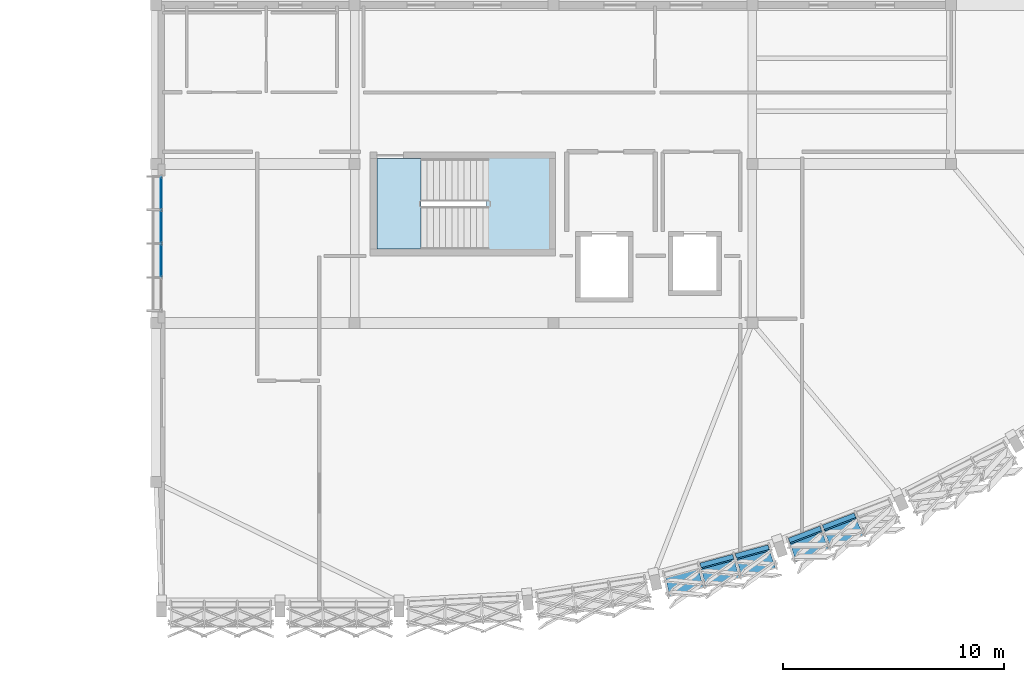
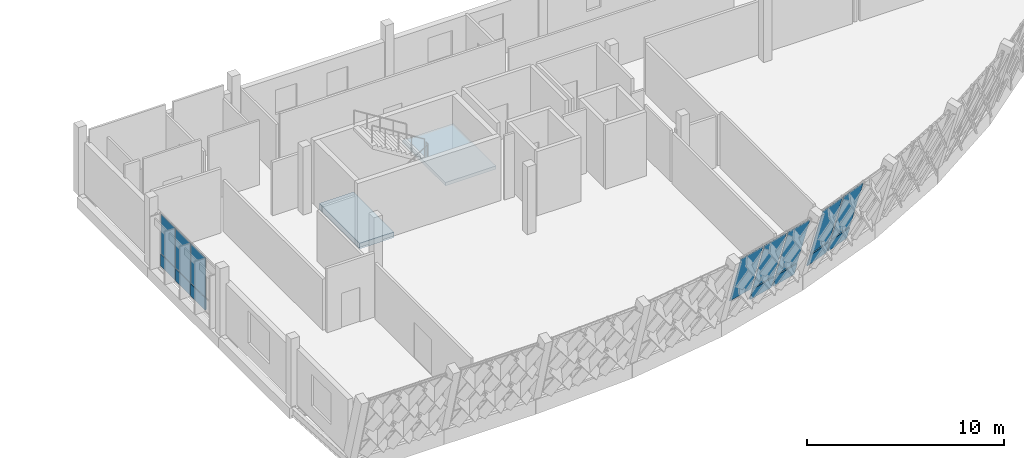
# One storey, part 15 of 24: 15 plates, 2 slabs, 4 elements without a shape of their own.
"""IFC4 building model written with IfcOpenShell, lengths in metres."""

from ifc_helpers import new_model, si_unit, direction, frame, origin, origin_2d, place, context, subcontext, project, spatial, polyline, rectangle, outline, extrude, material, layer, layer_set, type_object, element, aggregate, save


model = new_model("IFC4")

# Units and contexts
model_context = context("Model", 3, precision=1e-05, world=origin(), true_north=direction((0.0, 1.0)))
body_context = subcontext(model_context, "Body", "Model", "MODEL_VIEW")
ifc_project = project(units=[si_unit("LENGTHUNIT", "METRE"), si_unit("AREAUNIT", "SQUARE_METRE"), si_unit("VOLUMEUNIT", "CUBIC_METRE"), si_unit("PLANEANGLEUNIT", "RADIAN"), si_unit("MASSUNIT", "GRAM", prefix="KILO")], contexts=[model_context])

# Site, building, storey
site_placement = place(None, origin())
site = spatial("IfcSite", under=ifc_project, at=site_placement, CompositionType="ELEMENT")
building_placement = place(site_placement, origin())
building = spatial("IfcBuilding", under=site, at=building_placement, Name="Chiffa Square Polytechnic", CompositionType="ELEMENT")
storey_placement = place(building_placement, frame((0.0, 0.0, 22.199951171875)))
storey = spatial("IfcBuildingStorey", under=building, at=storey_placement, Name="L05", CompositionType="ELEMENT", Elevation=22.199951171875)

# Curtain wall, plates
ifc_material_1 = material(Name="Aluminium EN AW-6060 T66 and glulam shading", Category="wood")
curtain_wall_type_1 = type_object("IfcCurtainWallType", Name="CW-PROW-LEAN-150", PredefinedType="USERDEFINED", material=ifc_material_1)
curtain_wall_1_placement = place(storey_placement, origin())
curtain_wall_1 = element("IfcCurtainWall", 1, at=curtain_wall_1_placement, inside=storey, type_object=curtain_wall_type_1, Name="Outward-leaning diamond-fin prow curtain wall CW-V1-L05-082", ObjectType="CURTAIN WALL", PredefinedType="USERDEFINED")
ifc_material_2 = material(Name="Double glazing", Category="glass")
ifc_layer_1 = layer(ifc_material_2, 0.035888671875, Name="Double glazing")
ifc_layer_set_1 = layer_set([ifc_layer_1], Name="Double glazing")
plate_type_1 = type_object("IfcPlateType", Name="CWP-GLZ-120X145", PredefinedType="CURTAIN_PANEL", material=ifc_layer_set_1)
plate_1_placement = place(storey_placement, frame((135.27734375, 2.88232421875, 0.8779296875), z_axis=(-0.249225834547, 0.929461316899, 0.272007617141), x_axis=(0.965880063248, 0.258989774698, 4.734356e-06)))
plate_1 = element("IfcPlate", 2, at=plate_1_placement, type_object=plate_type_1, Name="Leaning prow curtain panel CW-V1-L05-082-PN01", PredefinedType="CURTAIN_PANEL", context=body_context, shape_type="SweptSolid", body=[
    extrude(outline(polyline([(0.0, 0.0), (1.541353737137688, 0.0), (1.5250207858756748, -3.176906638813591), (-0.04440482144302875, -3.1769219434086637), (0.0, 0.0)])), origin(), (0.0, 0.0, -1.0), 0.035888671875),
])
plate_2_placement = place(storey_placement, frame((136.8818359375, 3.312255859375, 0.8779296875), z_axis=(-0.249163378741, 0.929510064312, 0.271898236546), x_axis=(0.965901170357, 0.258911043569, 2.4929831e-05)))
plate_2 = element("IfcPlate", 3, at=plate_2_placement, type_object=plate_type_1, Name="Leaning prow curtain panel CW-V1-L05-082-PN02", PredefinedType="CURTAIN_PANEL", context=body_context, shape_type="SweptSolid", body=[
    extrude(outline(polyline([(0.0, 0.0), (1.5412905229558422, 0.0), (1.5553009813378462, -3.176771803984382), (-0.014124617853405519, -3.176852389591653), (0.0, 0.0)])), origin(), (0.0, 0.0, -1.0), 0.035888671875),
])
plate_3_placement = place(storey_placement, frame((138.486083984375, 3.7421875, 0.8779296875), z_axis=(-0.249144338634, 0.929514555899, 0.271900328979), x_axis=(0.965903899052, 0.258900864621, -9.68769e-06)))
plate_3 = element("IfcPlate", 4, at=plate_3_placement, type_object=plate_type_1, Name="Leaning prow curtain panel CW-V1-L05-082-PN03", PredefinedType="CURTAIN_PANEL", context=body_context, shape_type="SweptSolid", body=[
    extrude(outline(polyline([(0.0, 0.0), (1.541589549310542, 1.3877787807814457e-17), (1.5855248828249464, -3.1768300074916063), (0.01616249318975262, -3.17679868966734), (0.0, 0.0)])), origin(), (0.0, 0.0, -1.0), 0.035888671875),
])

curtain_wall_type_2 = type_object("IfcCurtainWallType", Name="CW-VERT-360X380", PredefinedType="USERDEFINED", material=ifc_material_1)
curtain_wall_2_placement = place(storey_placement, origin())
curtain_wall_2 = element("IfcCurtainWall", 5, at=curtain_wall_2_placement, inside=storey, type_object=curtain_wall_type_2, Name="Curtain wall CW-V1-L05-141", ObjectType="CURTAIN WALL", PredefinedType="USERDEFINED")
ifc_layer_2 = layer(ifc_material_2, 0.0380859375, Name="Double glazing")
ifc_layer_set_2 = layer_set([ifc_layer_2], Name="Double glazing")
plate_type_2 = type_object("IfcPlateType", Name="CWP-GLZ-146X138", PredefinedType="CURTAIN_PANEL", material=ifc_layer_set_2)
plate_4_placement = place(storey_placement, frame((112.449951171875, 20.283935546875, 0.83935546875), z_axis=(0.0, 0.0, 1.0), x_axis=(0.0, -1.0, 0.0)))
plate_4 = element("IfcPlate", 6, at=plate_4_placement, type_object=plate_type_2, Name="Glazed curtain panel CW-V1-L05-141-PN01", PredefinedType="CURTAIN_PANEL", context=body_context, shape_type="SweptSolid", body=[
    extrude(rectangle(XDim=1.4560546875, YDim=0.0380859375, at=origin_2d()), origin(), (0.0, 0.0, 1.0), 2.425048828125),
])
plate_5_placement = place(storey_placement, frame((112.449951171875, 18.764892578125, 0.83935546875), z_axis=(0.0, 0.0, 1.0), x_axis=(0.0, -1.0, 0.0)))
plate_5 = element("IfcPlate", 7, at=plate_5_placement, type_object=plate_type_2, Name="Glazed curtain panel CW-V1-L05-141-PN02", PredefinedType="CURTAIN_PANEL", context=body_context, shape_type="SweptSolid", body=[
    extrude(rectangle(XDim=1.47802734375, YDim=0.0380859375, at=origin_2d()), origin(), (0.0, 0.0, 1.0), 2.425048828125),
])
plate_6_placement = place(storey_placement, frame((112.449951171875, 17.235107421875, 0.83935546875), z_axis=(0.0, 0.0, 1.0), x_axis=(0.0, -1.0, 0.0)))
plate_6 = element("IfcPlate", 8, at=plate_6_placement, type_object=plate_type_2, Name="Glazed curtain panel CW-V1-L05-141-PN03", PredefinedType="CURTAIN_PANEL", context=body_context, shape_type="SweptSolid", body=[
    extrude(rectangle(XDim=1.47802734375, YDim=0.0380859375, at=origin_2d()), origin(), (0.0, 0.0, 1.0), 2.425048828125),
])

curtain_wall_type_3 = type_object("IfcCurtainWallType", Name="CW-PROW-LEAN-300", PredefinedType="USERDEFINED", material=ifc_material_1)
curtain_wall_3_placement = place(storey_placement, origin())
curtain_wall_3 = element("IfcCurtainWall", 9, at=curtain_wall_3_placement, inside=storey, type_object=curtain_wall_type_3, Name="Outward-leaning diamond-fin prow curtain wall CW-V1-L05-083", ObjectType="CURTAIN WALL", PredefinedType="USERDEFINED")
ifc_layer_3 = layer(ifc_material_2, 0.035888671875, Name="Double glazing")
ifc_layer_set_3 = layer_set([ifc_layer_3], Name="Double glazing")
plate_type_3 = type_object("IfcPlateType", Name="CWP-GLZ-180X140", PredefinedType="CURTAIN_PANEL", material=ifc_layer_set_3)
plate_7_placement = place(storey_placement, frame((140.904541015625, 4.443115234375, 0.8779296875), z_axis=(-0.34494592232, 0.898384771856, 0.271877017), x_axis=(0.933551512042, 0.358443264757, 1.771655e-05)))
plate_7 = element("IfcPlate", 10, at=plate_7_placement, type_object=plate_type_3, Name="Leaning prow curtain panel CW-V1-L05-083-PN01", PredefinedType="CURTAIN_PANEL", context=body_context, shape_type="SweptSolid", body=[
    extrude(outline(polyline([(0.0, 0.0), (1.5416121268638814, 2.7755575615628914e-17), (1.5254750837935591, -3.176764219720195), (-0.04419969661239221, -3.1768214985702325), (0.0, 0.0)])), origin(), (0.0, 0.0, -1.0), 0.035888671875),
])
plate_8_placement = place(storey_placement, frame((142.455322265625, 5.038330078125, 0.8779296875), z_axis=(-0.344819967082, 0.898450098199, 0.271820917787), x_axis=(0.933604055182, 0.358306388195, 1.8063054e-05)))
plate_8 = element("IfcPlate", 11, at=plate_8_placement, type_object=plate_type_3, Name="Leaning prow curtain panel CW-V1-L05-083-PN02", PredefinedType="CURTAIN_PANEL", context=body_context, shape_type="SweptSolid", body=[
    extrude(outline(polyline([(0.0, 0.0), (1.5415246473133084, -2.7755575615628914e-17), (1.555663778854521, -3.176710790935268), (-0.013923491068326264, -3.1767691858115445), (0.0, 0.0)])), origin(), (0.0, 0.0, -1.0), 0.035888671875),
])

# Plate
ifc_material_3 = material(Name="Aluminium insulated spandrel", Category="aluminium")
ifc_layer_4 = layer(ifc_material_3, 0.072021484375, Name="Aluminium insulated spandrel")
ifc_layer_set_4 = layer_set([ifc_layer_4], Name="Aluminium insulated spandrel")
plate_type_4 = type_object("IfcPlateType", Name="CWP-SPN-136X072", PredefinedType="SHEET", material=ifc_layer_set_4)
plate_9_placement = place(storey_placement, frame((112.449951171875, 20.283935546875, 0.050048828125), z_axis=(0.0, 0.0, 1.0), x_axis=(0.0, -1.0, 0.0)))
plate_9 = element("IfcPlate", 12, at=plate_9_placement, type_object=plate_type_4, Name="Spandrel panel CW-V1-L05-141-SP01", PredefinedType="SHEET", context=body_context, shape_type="SweptSolid", body=[
    extrude(rectangle(XDim=1.4560546875, YDim=0.072021484375, at=origin_2d()), origin(), (0.0, 0.0, 1.0), 0.75),
])

plate_10_placement = place(storey_placement, frame((112.449951171875, 18.764892578125, 0.050048828125), z_axis=(0.0, 0.0, 1.0), x_axis=(0.0, -1.0, 0.0)))
plate_10 = element("IfcPlate", 13, at=plate_10_placement, type_object=plate_type_4, Name="Spandrel panel CW-V1-L05-141-SP02", PredefinedType="SHEET", context=body_context, shape_type="SweptSolid", body=[
    extrude(rectangle(XDim=1.47802734375, YDim=0.072021484375, at=origin_2d()), origin(), (0.0, 0.0, 1.0), 0.75),
])

plate_11_placement = place(storey_placement, frame((112.449951171875, 17.235107421875, 0.050048828125), z_axis=(0.0, 0.0, 1.0), x_axis=(0.0, -1.0, 0.0)))
plate_11 = element("IfcPlate", 14, at=plate_11_placement, type_object=plate_type_4, Name="Spandrel panel CW-V1-L05-141-SP03", PredefinedType="SHEET", context=body_context, shape_type="SweptSolid", body=[
    extrude(rectangle(XDim=1.47802734375, YDim=0.072021484375, at=origin_2d()), origin(), (0.0, 0.0, 1.0), 0.75),
])

aggregate(curtain_wall_2, [plate_9, plate_4, plate_10, plate_5, plate_11, plate_6])

ifc_layer_5 = layer(ifc_material_3, 0.068115234375, Name="Aluminium insulated spandrel")
ifc_layer_set_5 = layer_set([ifc_layer_5], Name="Aluminium insulated spandrel")
plate_type_5 = type_object("IfcPlateType", Name="CWP-SPN-140X076", PredefinedType="SHEET", material=ifc_layer_set_5)
plate_12_placement = place(storey_placement, frame((140.831787109375, 4.666015625, 0.050048828125), z_axis=(-0.34466473901, 0.898451045448, 0.272014588978), x_axis=(0.933657569198, 0.358166921033, 1.2491113e-05)))
plate_12 = element("IfcPlate", 15, at=plate_12_placement, type_object=plate_type_5, Name="Leaning prow curtain panel CW-V1-L05-083-SP01", PredefinedType="SHEET", context=body_context, shape_type="SweptSolid", body=[
    extrude(outline(polyline([(0.0, 0.0), (1.5338649592878035, 0.0), (1.5299452429393554, -0.802202076969334), (-0.011036071450919633, -0.8022419902256135), (0.0, 0.0)])), origin(), (0.0, 0.0, -1.0), 0.068115234375),
])

plate_13_placement = place(storey_placement, frame((142.375, 5.258056640625, 0.050048828125), z_axis=(-0.344771995273, 0.898455035553, 0.271865445332), x_axis=(0.933619605303, 0.358265868585, 4.43047e-07)))
plate_13 = element("IfcPlate", 16, at=plate_13_placement, type_object=plate_type_5, Name="Leaning prow curtain panel CW-V1-L05-083-SP02", PredefinedType="SHEET", context=body_context, shape_type="SweptSolid", body=[
    extrude(outline(polyline([(0.0, 0.0), (1.533952410862906, -2.7755575615628914e-17), (1.5373445799117287, -0.8021860945660666), (-0.0034087998046290757, -0.8021875101219771), (0.0, 0.0)])), origin(), (0.0, 0.0, -1.0), 0.068115234375),
])

aggregate(curtain_wall_3, [plate_12, plate_7, plate_13, plate_8])

ifc_layer_6 = layer(ifc_material_3, 0.06591796875, Name="Aluminium insulated spandrel")
ifc_layer_set_6 = layer_set([ifc_layer_6], Name="Aluminium insulated spandrel")
plate_type_6 = type_object("IfcPlateType", Name="CWP-SPN-144X078", PredefinedType="SHEET", material=ifc_layer_set_6)
plate_14_placement = place(storey_placement, frame((136.824951171875, 3.539306640625, 0.050048828125), z_axis=(-0.249116175686, 0.929524282529, 0.271892881849), x_axis=(0.965913332735, 0.25886566699, 9.974938e-06)))
plate_14 = element("IfcPlate", 17, at=plate_14_placement, type_object=plate_type_6, Name="Leaning prow curtain panel CW-V1-L05-082-SP02", PredefinedType="SHEET", context=body_context, shape_type="SweptSolid", body=[
    extrude(outline(polyline([(0.0, 0.0), (1.5337103704977677, 4.163336342344337e-17), (1.5372051701386777, -0.8021773300843771), (-0.0036137205379197456, -0.8022091989001047), (0.0, 0.0)])), origin(), (0.0, 0.0, -1.0), 0.06591796875),
])

plate_15_placement = place(storey_placement, frame((138.42138671875, 3.967041015625, 0.050048828125), z_axis=(-0.249032325441, 0.929572948448, 0.271803300934), x_axis=(0.965936643439, 0.258778671114, -1.5466178e-05)))
plate_15 = element("IfcPlate", 18, at=plate_15_placement, type_object=plate_type_6, Name="Leaning prow curtain panel CW-V1-L05-082-SP03", PredefinedType="SHEET", context=body_context, shape_type="SweptSolid", body=[
    extrude(outline(polyline([(0.0, 0.0), (1.5337103690469451, -2.7755575615628914e-17), (1.5450211503985674, -0.8021970003546529), (0.004029625746759966, -0.8021475861630875), (0.0, 0.0)])), origin(), (0.0, 0.0, -1.0), 0.06591796875),
])

aggregate(curtain_wall_1, [plate_1, plate_14, plate_2, plate_15, plate_3])

# Slab
ifc_material_4 = material(Name="Concrete C40/50", Category="concrete")
ifc_layer_7 = layer(ifc_material_4, 0.35009765625, Name="Concrete C40/50")
ifc_layer_set_7 = layer_set([ifc_layer_7], Name="Concrete C40/50")
slab_type_1 = type_object("IfcSlabType", Name="SLB-FLR-350", PredefinedType="FLOOR", material=ifc_layer_set_7)
slab_1_placement = place(storey_placement, frame((0.0, 0.0, -0.349853515625)))
element("IfcSlab", 19, at=slab_1_placement, inside=storey, type_object=slab_type_1, Name="Stair core floor landing slab SLB-CORE-CORE-V1A-L05", PredefinedType="FLOOR", context=body_context, shape_type="SweptSolid", body=[
    extrude(outline(polyline([(122.199951171875, 17.75), (124.2119140625, 17.75), (124.2119140625, 21.85009765625), (122.199951171875, 21.85009765625), (122.199951171875, 17.75)])), origin(), (0.0, 0.0, 1.0), 0.349853515625),
])

# Stair, slab
ifc_material_5 = material(Name="Concrete C35/45", Category="concrete")
stair_type = type_object("IfcStairType", Name="STAIR-DOG-1950", PredefinedType="HALF_TURN_STAIR", material=ifc_material_5)
stair_placement = place(storey_placement, origin())
stair = element("IfcStair", 20, at=stair_placement, inside=storey, type_object=stair_type, Name="L05 Enclosed exit stair ST-V1A", PredefinedType="HALF_TURN_STAIR")
ifc_layer_8 = layer(ifc_material_5, 0.199951171875, Name="Concrete C35/45")
ifc_layer_set_8 = layer_set([ifc_layer_8], Name="Concrete C35/45")
slab_type_2 = type_object("IfcSlabType", Name="SLB-LND-200", PredefinedType="LANDING", material=ifc_layer_set_8)
slab_2_placement = place(storey_placement, frame((0.0, 0.0, 1.900146484375)))
slab_2 = element("IfcSlab", 21, at=slab_2_placement, type_object=slab_type_2, Name="ST-V1A landing 1", PredefinedType="LANDING", context=body_context, shape_type="SweptSolid", body=[
    extrude(outline(polyline([(127.159912109375, 17.6298828125), (127.159912109375, 21.969970703125), (130.1201171875, 21.969970703125), (130.1201171875, 17.6298828125), (127.159912109375, 17.6298828125)])), origin(), (0.0, 0.0, 1.0), 0.199951171875),
])
aggregate(stair, [slab_2])

save(model, "model.ifc")
